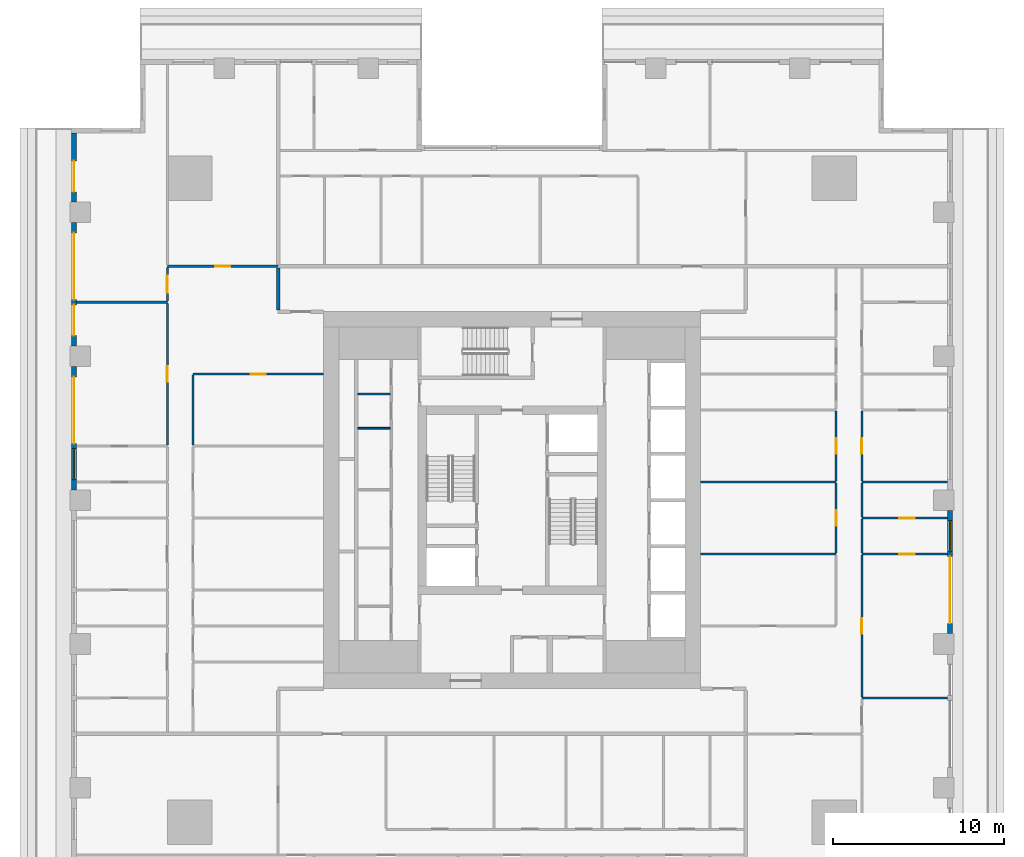
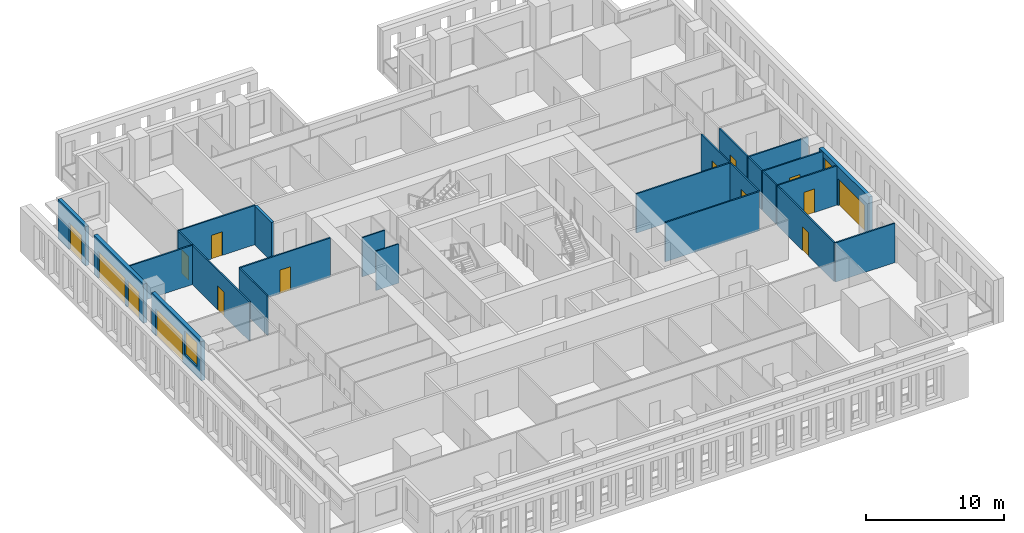
# One storey, part 6 of 15: 25 walls, 15 doors, 2 windows, 17 openings.
"""IFC4 building model written with IfcOpenShell, lengths in metres."""

import ifcopenshell
import ifcopenshell.guid

model = None  # the IFC model being written
_history = None  # IfcOwnerHistory: only IFC2X3 demands one
_inside = {}  # id of a spatial element -> (the spatial element, [elements in it])
_under = {}  # id of a project, library or spatial element -> (it, [spatial elements below it])
_declared = {}  # id of a project -> (the project, [libraries it declares])
_typed = {}  # id of a type object -> (the type object, [elements of that type])
_made_of = {}  # id of a material, layer set ... -> (it, [elements and type objects made of it])


def new_model(schema):
    """Start an empty IFC model of exactly this schema.

    Asked for "IFC4X3", IfcOpenShell would pick the latest addendum, in which some entities
    have other attributes; the version numbers below select the first issue.
    IFC2X3 requires an IfcOwnerHistory on every rooted entity: one is made here for all.
    """
    global model, _history
    if schema == "IFC4X3":
        model = ifcopenshell.file(schema_version=(4, 3, 0, 0))
    else:
        model = ifcopenshell.file(schema=schema)
    _inside.clear()
    _under.clear()
    _declared.clear()
    _typed.clear()
    _made_of.clear()
    _history = None
    if model.schema == "IFC2X3":
        org = make("IfcOrganization", Name="unknown")
        user = make(
            "IfcPersonAndOrganization",
            ThePerson=make("IfcPerson", FamilyName="unknown"),
            TheOrganization=org,
        )
        app = make(
            "IfcApplication",
            ApplicationDeveloper=org,
            Version="unknown",
            ApplicationFullName="unknown",
            ApplicationIdentifier="unknown",
        )
        _history = make(
            "IfcOwnerHistory",
            OwningUser=user,
            OwningApplication=app,
            ChangeAction="ADDED",
            CreationDate=0,
        )
    return model


def make(cls, **values):
    """One entity of the class cls with the attributes given. An attribute that is None is left unset."""
    return model.create_entity(
        cls, **{name: value for name, value in values.items() if value is not None}
    )


def rooted(cls, **values):
    """An entity with a GlobalId (a new one), such as an element, a storey or a relation."""
    return make(cls, GlobalId=ifcopenshell.guid.new(), OwnerHistory=_history, **values)


def si_unit(unit_type, name, prefix=None):
    """IfcSIUnit, for example si_unit("LENGTHUNIT", "METRE", prefix="MILLI")."""
    return make("IfcSIUnit", UnitType=unit_type, Prefix=prefix, Name=name)


def assignment(units):
    """IfcUnitAssignment: the units of a project."""
    return None if units is None else make("IfcUnitAssignment", Units=units)


def point(xyz):
    """IfcCartesianPoint."""
    return None if xyz is None else make("IfcCartesianPoint", Coordinates=xyz)


def direction(xyz):
    """IfcDirection."""
    return None if xyz is None else make("IfcDirection", DirectionRatios=xyz)


def frame(location, z_axis=None, x_axis=None):
    """IfcAxis2Placement3D, a coordinate frame: its origin and axes. An axis left out is left unset."""
    return make(
        "IfcAxis2Placement3D",
        Location=point(location),
        Axis=direction(z_axis),
        RefDirection=direction(x_axis),
    )


def frame_2d(location, x_axis=None):
    """IfcAxis2Placement2D, a coordinate frame in the plane: its origin and x axis."""
    return make(
        "IfcAxis2Placement2D", Location=point(location), RefDirection=direction(x_axis)
    )


def origin():
    """The frame at (0, 0, 0) with its axes left unset."""
    return frame((0.0, 0.0, 0.0))


def place(relative_to, where):
    """IfcLocalPlacement: puts the frame where relative to a parent placement (None: the world)."""
    return make(
        "IfcLocalPlacement", PlacementRelTo=relative_to, RelativePlacement=where
    )


def context(
    kind, dimensions, precision=None, world=None, true_north=None, identifier=None
):
    """IfcGeometricRepresentationContext, for example the 3D "Model" context."""
    return make(
        "IfcGeometricRepresentationContext",
        ContextIdentifier=identifier,
        ContextType=kind,
        CoordinateSpaceDimension=dimensions,
        Precision=precision,
        WorldCoordinateSystem=world,
        TrueNorth=true_north,
    )


def subcontext(parent, identifier, kind, view, scale=None):
    """IfcGeometricRepresentationSubContext, for example "Body" below "Model"."""
    return make(
        "IfcGeometricRepresentationSubContext",
        ContextIdentifier=identifier,
        ContextType=kind,
        ParentContext=parent,
        TargetScale=scale,
        TargetView=view,
    )


def project(units=None, contexts=None):
    """IfcProject with its units and contexts."""
    return rooted(
        "IfcProject",
        Name="project",
        RepresentationContexts=contexts,
        UnitsInContext=assignment(units),
    )


def spatial(cls, under=None, at=None, **own):
    """A site, building, storey or space (cls), placed at a placement, below another one or the project."""
    s = rooted(cls, ObjectPlacement=at, **own)
    if under is not None:
        _under.setdefault(under.id(), (under, []))[1].append(s)
    return s


def profile(cls, at=None, kind="AREA", **sizes):
    """A parametric profile (cls). Its sizes go by their IFC names, for example OverallWidth=200.0."""
    return make(cls, ProfileType=kind, Position=at, **sizes)


def rectangle(**sizes):
    """IfcRectangleProfileDef."""
    return profile("IfcRectangleProfileDef", **sizes)


def extrude(swept, where, along, depth):
    """IfcExtrudedAreaSolid: the profile swept, set in the frame where, extruded along a direction by depth."""
    return make(
        "IfcExtrudedAreaSolid",
        SweptArea=swept,
        Position=where,
        ExtrudedDirection=direction(along),
        Depth=depth,
    )


def shape(context_of_items, identifier, shape_type, items):
    """IfcShapeRepresentation: the items that make up one representation, for example the "Body"."""
    return make(
        "IfcShapeRepresentation",
        ContextOfItems=context_of_items,
        RepresentationIdentifier=identifier,
        RepresentationType=shape_type,
        Items=items,
    )


def material(Name=None, Category=None):
    """IfcMaterial."""
    return make("IfcMaterial", Name=Name, Category=Category)


def layer(
    of_material, thickness, ventilated=None, Name=None, Category=None, Priority=None
):
    """IfcMaterialLayer: one layer of a wall or slab, of a material (None: an air gap)."""
    return make(
        "IfcMaterialLayer",
        Material=of_material,
        LayerThickness=thickness,
        IsVentilated=ventilated,
        Name=Name,
        Category=Category,
        Priority=Priority,
    )


def layer_set(layers, Name=None):
    """IfcMaterialLayerSet."""
    return make("IfcMaterialLayerSet", MaterialLayers=layers, LayerSetName=Name)


def made_of(thing, what):
    """Note that an element or type object is made of a material, layer set ...; save() writes the relation."""
    if what is not None:
        _made_of.setdefault(what.id(), (what, []))[1].append(thing)
    return thing


def type_object(cls, material=None, **own):
    """A type object (cls), such as IfcWallType, which elements share."""
    return made_of(rooted(cls, **own), material)


def element(
    cls,
    number,
    at=None,
    inside=None,
    cuts=None,
    type_object=None,
    material=None,
    context=None,
    identifier="Body",
    shape_type=None,
    held_by="IfcProductDefinitionShape",
    body=None,
    shapes=None,
    **own,
):
    """One element of the class cls, such as IfcWall. Its Tag is "e" and its number.

    at: its placement. inside: the storey or other place that contains it. cuts: it is an
    opening in that element (IfcRelVoidsElement). A single representation is given by context,
    identifier, shape_type and body (its items); several are given by shapes. held_by: the class
    of the entity that holds the representations. save() writes the other relations.
    """
    e = rooted(cls, Tag="e%d" % number, ObjectPlacement=at, **own)
    if body is not None:
        shapes = [shape(context, identifier, shape_type, body)]
    if shapes is not None:
        e.Representation = make(held_by, Representations=shapes)
    if inside is not None:
        _inside.setdefault(inside.id(), (inside, []))[1].append(e)
    if cuts is not None:
        rooted(
            "IfcRelVoidsElement", RelatingBuildingElement=cuts, RelatedOpeningElement=e
        )
    if type_object is not None:
        _typed.setdefault(type_object.id(), (type_object, []))[1].append(e)
    return made_of(e, material)


def fill(opening, filler):
    """IfcRelFillsElement: the door or window that sits in an opening."""
    return rooted(
        "IfcRelFillsElement",
        RelatingOpeningElement=opening,
        RelatedBuildingElement=filler,
    )


def aggregate(whole, parts):
    """IfcRelAggregates: a whole, such as a stair, and the parts it consists of."""
    return rooted("IfcRelAggregates", RelatingObject=whole, RelatedObjects=parts)


def save(model, path):
    """Write the relations noted so far, then the file.

    IfcRelAggregates (storeys below a building ...), IfcRelContainedInSpatialStructure (elements
    in a storey), IfcRelDefinesByType, IfcRelAssociatesMaterial and IfcRelDeclares: one each for
    every whole, place, type object, material and project.
    """
    for whole, parts in _under.values():
        aggregate(whole, parts)
    for where, things in _inside.values():
        rooted(
            "IfcRelContainedInSpatialStructure",
            RelatedElements=things,
            RelatingStructure=where,
        )
    for kind, things in _typed.values():
        rooted("IfcRelDefinesByType", RelatedObjects=things, RelatingType=kind)
    for what, things in _made_of.values():
        rooted("IfcRelAssociatesMaterial", RelatedObjects=things, RelatingMaterial=what)
    for by, libraries in _declared.values():
        rooted("IfcRelDeclares", RelatingContext=by, RelatedDefinitions=libraries)
    model.write(path)


model = new_model("IFC4")

# Units and contexts
model_context = context("Model", 3, precision=1e-05, world=origin(), true_north=direction((0.0, 1.0)))
body_context = subcontext(model_context, "Body", "Model", "MODEL_VIEW")
ifc_project = project(units=[si_unit("LENGTHUNIT", "METRE"), si_unit("AREAUNIT", "SQUARE_METRE"), si_unit("VOLUMEUNIT", "CUBIC_METRE"), si_unit("PLANEANGLEUNIT", "RADIAN"), si_unit("MASSUNIT", "GRAM", prefix="KILO")], contexts=[model_context])

# Site, building, storey
site_placement = place(None, origin())
site = spatial("IfcSite", under=ifc_project, at=site_placement, CompositionType="ELEMENT")
building_placement = place(site_placement, origin())
building = spatial("IfcBuilding", under=site, at=building_placement, Name="Khepri Terraces", CompositionType="ELEMENT")
storey_placement = place(building_placement, frame((0.0, 0.0, 145.5)))
storey = spatial("IfcBuildingStorey", under=building, at=storey_placement, Name="L34", CompositionType="ELEMENT", Elevation=145.5)

# Walls
ifc_material_1 = material(Name="Fire-rated gypsum board partition")
ifc_layer_1 = layer(ifc_material_1, 0.10009765625, Name="Fire-rated gypsum board partition")
ifc_layer_set_1 = layer_set([ifc_layer_1], Name="Fire-rated gypsum board partition")
wall_type_1 = type_object("IfcWallType", Name="WL-CORE-PART-100", PredefinedType="PARTITIONING", material=ifc_layer_set_1)
for number, where, z_axis, x_axis, name in (
    (1, (-9.0, 4.199951171875, 0.0), (0.0, 0.0, 1.0), (1.0, 0.0, 0.0), "Core partition PT11 L34"),
    (2, (-9.0, 6.199951171875, 0.0), (0.0, 0.0, 1.0), (1.0, 0.0, 0.0), "Core partition PT14 L34"),
):
    element("IfcWall", number, at=place(storey_placement, frame(where, z_axis=z_axis, x_axis=x_axis)), inside=storey, type_object=wall_type_1, Name=name, PredefinedType="PARTITIONING", context=body_context, shape_type="SweptSolid", body=[
        extrude(rectangle(XDim=1.89990234375, YDim=0.10009765625, at=frame_2d((0.949951171875, 0.0))), origin(), (0.0, 0.0, 1.0), 3.47998046875),
    ])
ifc_material_2 = material(Name="Fire-rated gypsum plasterboard partition, mineral wool")
ifc_layer_2 = layer(ifc_material_2, 0.199951171875, Name="Fire-rated gypsum plasterboard partition, mineral wool")
ifc_layer_set_2 = layer_set([ifc_layer_2], Name="Fire-rated gypsum plasterboard partition, mineral wool")
wall_type_2 = type_object("IfcWallType", Name="WL-CORR-200", PredefinedType="PARTITIONING", material=ifc_layer_set_2)
wall_1_placement = place(storey_placement, frame((-13.64990234375, 11.10009765625, 0.0), z_axis=(0.0, 0.0, 1.0), x_axis=(0.0, 1.0, 0.0)))
element("IfcWall", 3, at=wall_1_placement, inside=storey, type_object=wall_type_2, Name="Partition P-076 L34", PredefinedType="PARTITIONING", context=body_context, shape_type="SweptSolid", body=[
    extrude(rectangle(XDim=2.449951171875, YDim=0.199951171875, at=frame_2d((1.22509765625, 0.0))), origin(), (0.0, 0.0, 1.0), 3.47998046875),
])

# Wall, openings, door, window
ifc_material_3 = material(Name="Precast concrete C50/60 warm stone", Category="masonry")
ifc_layer_3 = layer(ifc_material_3, 0.300048828125, Name="Precast concrete C50/60 warm stone", Category="masonry")
ifc_layer_set_3 = layer_set([ifc_layer_3], Name="Precast concrete C50/60 warm stone")
wall_type_3 = type_object("IfcWallType", Name="WL-EXT-PRECAST-300", PredefinedType="STANDARD", material=ifc_layer_set_3)
wall_2_placement = place(storey_placement, frame((25.570068359375, -7.800048828125, 0.0), z_axis=(0.0, 0.0, 1.0), x_axis=(0.0, 1.0, 0.0)))
wall_2 = element("IfcWall", 4, at=wall_2_placement, inside=storey, type_object=wall_type_3, Name="External wall L34 E", PredefinedType="STANDARD", context=body_context, shape_type="SweptSolid", body=[
    extrude(rectangle(XDim=7.199951171875, YDim=0.300048828125, at=frame_2d((3.60009765625, 0.0))), origin(), (0.0, 0.0, 1.0), 3.47998046875),
])
opening_1_placement = place(wall_2_placement, frame((0.60009765625, 0.0, 0.0)))
opening_1 = element("IfcOpeningElement", 5, at=opening_1_placement, cuts=wall_2, Name="Opening ED-L34-04", PredefinedType="OPENING", context=body_context, shape_type="SweptSolid", body=[
    extrude(rectangle(XDim=3.89990234375, YDim=2.39990234375, at=frame_2d((1.949951171875, 1.199951171875))), frame((0.0, 0.16015625, 0.0), z_axis=(0.0, -1.0, 0.0), x_axis=(1.0, 0.0, 0.0)), (0.0, 0.0, 1.0), 0.320068359375),
])
opening_2_placement = place(wall_2_placement, frame((4.800048828125, 0.0, 0.89990234375)))
opening_2 = element("IfcOpeningElement", 6, at=opening_2_placement, cuts=wall_2, Name="Opening W1", PredefinedType="OPENING", context=body_context, shape_type="SweptSolid", body=[
    extrude(rectangle(XDim=1.800048828125, YDim=2.10009765625, at=frame_2d((0.89990234375, 1.050048828125))), frame((0.0, 0.16015625, 0.0), z_axis=(0.0, -1.0, 0.0), x_axis=(1.0, 0.0, 0.0)), (0.0, 0.0, 1.0), 0.320068359375),
])
ifc_material_4 = material(Name="Anodised aluminium bronze glazed door", Category="aluminium")
door_type_1 = type_object("IfcDoorType", Name="DR-BAL-SLIDE-3900x2400", OperationType="NOTDEFINED", PredefinedType="DOOR", material=ifc_material_4)
door_1_placement = place(opening_1_placement, origin())
door_1 = element("IfcDoor", 7, at=door_1_placement, inside=storey, type_object=door_type_1, Name="Balcony door L34 E", OperationType="SLIDING_TO_LEFT", OverallHeight=2.39990234375, OverallWidth=3.89990234375, PredefinedType="DOOR", context=body_context, shape_type="SweptSolid", body=[
    extrude(rectangle(XDim=3.89990234375, YDim=2.39990234375, at=frame_2d((1.949951171875, 1.199951171875))), frame((0.0, 0.02490234375, 0.0), z_axis=(0.0, -1.0, 0.0), x_axis=(1.0, 0.0, 0.0)), (0.0, 0.0, 1.0), 0.050048828125),
])
fill(opening_1, door_1)
ifc_material_5 = material(Name="Clear glass", Category="glass")
window_type = type_object("IfcWindowType", Name="WIN-RES-1800x2100", PartitioningType="SINGLE_PANEL", PredefinedType="WINDOW", material=ifc_material_5)
window_1_placement = place(opening_2_placement, origin())
window_1 = element("IfcWindow", 8, at=window_1_placement, inside=storey, type_object=window_type, Name="Window L34 E", OverallHeight=2.10009765625, OverallWidth=1.800048828125, PartitioningType="SINGLE_PANEL", PredefinedType="WINDOW", context=body_context, shape_type="SweptSolid", body=[
    extrude(rectangle(XDim=1.800048828125, YDim=2.10009765625, at=frame_2d((0.89990234375, 1.050048828125))), frame((0.0, 0.030029296875, 0.0), z_axis=(0.0, -1.0, 0.0), x_axis=(1.0, 0.0, 0.0)), (0.0, 0.0, 1.0), 0.06005859375),
])
fill(opening_2, window_1)

# Wall, opening, door
wall_3_placement = place(storey_placement, frame((-25.570068359375, 21.419921875, 0.0), z_axis=(0.0, 0.0, 1.0), x_axis=(0.0, -1.0, 0.0)))
wall_3 = element("IfcWall", 9, at=wall_3_placement, inside=storey, type_object=wall_type_3, Name="External wall L34 W", PredefinedType="STANDARD", context=body_context, shape_type="SweptSolid", body=[
    extrude(rectangle(XDim=4.02001953125, YDim=0.300048828125, at=frame_2d((2.010009765625, 0.0))), origin(), (0.0, 0.0, 1.0), 3.47998046875),
])
opening_3_placement = place(wall_3_placement, frame((1.6201171875, 0.0, 0.0)))
opening_3 = element("IfcOpeningElement", 10, at=opening_3_placement, cuts=wall_3, Name="Opening ED-L34-10", PredefinedType="OPENING", context=body_context, shape_type="SweptSolid", body=[
    extrude(rectangle(XDim=1.800048828125, YDim=2.39990234375, at=frame_2d((0.89990234375, 1.199951171875))), frame((0.0, 0.16015625, 0.0), z_axis=(0.0, -1.0, 0.0), x_axis=(1.0, 0.0, 0.0)), (0.0, 0.0, 1.0), 0.320068359375),
])
door_type_2 = type_object("IfcDoorType", Name="DR-BAL-SLIDE-1800x2400", OperationType="NOTDEFINED", PredefinedType="DOOR", material=ifc_material_4)
door_2_placement = place(opening_3_placement, origin())
door_2 = element("IfcDoor", 11, at=door_2_placement, inside=storey, type_object=door_type_2, Name="Balcony door L34 W", OperationType="SLIDING_TO_RIGHT", OverallHeight=2.39990234375, OverallWidth=1.800048828125, PredefinedType="DOOR", context=body_context, shape_type="SweptSolid", body=[
    extrude(rectangle(XDim=1.800048828125, YDim=2.39990234375, at=frame_2d((0.89990234375, 1.199951171875))), frame((0.0, 0.02490234375, 0.0), z_axis=(0.0, -1.0, 0.0), x_axis=(1.0, 0.0, 0.0)), (0.0, 0.0, 1.0), 0.050048828125),
])
fill(opening_3, door_2)

# Wall, openings, doors
wall_4_placement = place(storey_placement, frame((-25.570068359375, 16.199951171875, 0.0), z_axis=(0.0, 0.0, 1.0), x_axis=(0.0, -1.0, 0.0)))
wall_4 = element("IfcWall", 12, at=wall_4_placement, inside=storey, type_object=wall_type_3, Name="External wall L34 W", PredefinedType="STANDARD", context=body_context, shape_type="SweptSolid", body=[
    extrude(rectangle(XDim=7.199951171875, YDim=0.300048828125, at=frame_2d((3.60009765625, 0.0))), origin(), (0.0, 0.0, 1.0), 3.47998046875),
])
opening_4_placement = place(wall_4_placement, frame((0.60009765625, 0.0, 0.0)))
opening_4 = element("IfcOpeningElement", 13, at=opening_4_placement, cuts=wall_4, Name="Opening ED-L34-11", PredefinedType="OPENING", context=body_context, shape_type="SweptSolid", body=[
    extrude(rectangle(XDim=3.89990234375, YDim=2.39990234375, at=frame_2d((1.949951171875, 1.199951171875))), frame((0.0, 0.16015625, 0.0), z_axis=(0.0, -1.0, 0.0), x_axis=(1.0, 0.0, 0.0)), (0.0, 0.0, 1.0), 0.320068359375),
])
opening_5_placement = place(wall_4_placement, frame((4.800048828125, 0.0, 0.0)))
opening_5 = element("IfcOpeningElement", 14, at=opening_5_placement, cuts=wall_4, Name="Opening ED-L34-12", PredefinedType="OPENING", context=body_context, shape_type="SweptSolid", body=[
    extrude(rectangle(XDim=1.800048828125, YDim=2.39990234375, at=frame_2d((0.89990234375, 1.199951171875))), frame((0.0, 0.16015625, 0.0), z_axis=(0.0, -1.0, 0.0), x_axis=(1.0, 0.0, 0.0)), (0.0, 0.0, 1.0), 0.320068359375),
])
door_3_placement = place(opening_5_placement, origin())
door_3 = element("IfcDoor", 15, at=door_3_placement, inside=storey, type_object=door_type_2, Name="Balcony door L34 W", OperationType="SLIDING_TO_RIGHT", OverallHeight=2.39990234375, OverallWidth=1.800048828125, PredefinedType="DOOR", context=body_context, shape_type="SweptSolid", body=[
    extrude(rectangle(XDim=1.800048828125, YDim=2.39990234375, at=frame_2d((0.89990234375, 1.199951171875))), frame((0.0, 0.02490234375, 0.0), z_axis=(0.0, -1.0, 0.0), x_axis=(1.0, 0.0, 0.0)), (0.0, 0.0, 1.0), 0.050048828125),
])
fill(opening_5, door_3)
door_4_placement = place(opening_4_placement, origin())
door_4 = element("IfcDoor", 16, at=door_4_placement, inside=storey, type_object=door_type_1, Name="Balcony door L34 W", OperationType="SLIDING_TO_LEFT", OverallHeight=2.39990234375, OverallWidth=3.89990234375, PredefinedType="DOOR", context=body_context, shape_type="SweptSolid", body=[
    extrude(rectangle(XDim=3.89990234375, YDim=2.39990234375, at=frame_2d((1.949951171875, 1.199951171875))), frame((0.0, 0.02490234375, 0.0), z_axis=(0.0, -1.0, 0.0), x_axis=(1.0, 0.0, 0.0)), (0.0, 0.0, 1.0), 0.050048828125),
])
fill(opening_4, door_4)

# Wall, openings, door, window
wall_5_placement = place(storey_placement, frame((-25.570068359375, 7.800048828125, 0.0), z_axis=(0.0, 0.0, 1.0), x_axis=(0.0, -1.0, 0.0)))
wall_5 = element("IfcWall", 17, at=wall_5_placement, inside=storey, type_object=wall_type_3, Name="External wall L34 W", PredefinedType="STANDARD", context=body_context, shape_type="SweptSolid", body=[
    extrude(rectangle(XDim=7.199951171875, YDim=0.300048828125, at=frame_2d((3.60009765625, 0.0))), origin(), (0.0, 0.0, 1.0), 3.47998046875),
])
opening_6_placement = place(wall_5_placement, frame((0.60009765625, 0.0, 0.0)))
opening_6 = element("IfcOpeningElement", 18, at=opening_6_placement, cuts=wall_5, Name="Opening ED-L34-13", PredefinedType="OPENING", context=body_context, shape_type="SweptSolid", body=[
    extrude(rectangle(XDim=3.89990234375, YDim=2.39990234375, at=frame_2d((1.949951171875, 1.199951171875))), frame((0.0, 0.16015625, 0.0), z_axis=(0.0, -1.0, 0.0), x_axis=(1.0, 0.0, 0.0)), (0.0, 0.0, 1.0), 0.320068359375),
])
opening_7_placement = place(wall_5_placement, frame((4.800048828125, 0.0, 0.89990234375)))
opening_7 = element("IfcOpeningElement", 19, at=opening_7_placement, cuts=wall_5, Name="Opening W1", PredefinedType="OPENING", context=body_context, shape_type="SweptSolid", body=[
    extrude(rectangle(XDim=1.800048828125, YDim=2.10009765625, at=frame_2d((0.89990234375, 1.050048828125))), frame((0.0, 0.16015625, 0.0), z_axis=(0.0, -1.0, 0.0), x_axis=(1.0, 0.0, 0.0)), (0.0, 0.0, 1.0), 0.320068359375),
])
door_5_placement = place(opening_6_placement, origin())
door_5 = element("IfcDoor", 20, at=door_5_placement, inside=storey, type_object=door_type_1, Name="Balcony door L34 W", OperationType="SLIDING_TO_LEFT", OverallHeight=2.39990234375, OverallWidth=3.89990234375, PredefinedType="DOOR", context=body_context, shape_type="SweptSolid", body=[
    extrude(rectangle(XDim=3.89990234375, YDim=2.39990234375, at=frame_2d((1.949951171875, 1.199951171875))), frame((0.0, 0.02490234375, 0.0), z_axis=(0.0, -1.0, 0.0), x_axis=(1.0, 0.0, 0.0)), (0.0, 0.0, 1.0), 0.050048828125),
])
fill(opening_6, door_5)
window_2_placement = place(opening_7_placement, origin())
window_2 = element("IfcWindow", 21, at=window_2_placement, inside=storey, type_object=window_type, Name="Window L34 W", OverallHeight=2.10009765625, OverallWidth=1.800048828125, PartitioningType="SINGLE_PANEL", PredefinedType="WINDOW", context=body_context, shape_type="SweptSolid", body=[
    extrude(rectangle(XDim=1.800048828125, YDim=2.10009765625, at=frame_2d((0.89990234375, 1.050048828125))), frame((0.0, 0.030029296875, 0.0), z_axis=(0.0, -1.0, 0.0), x_axis=(1.0, 0.0, 0.0)), (0.0, 0.0, 1.0), 0.06005859375),
])
fill(opening_7, window_2)

# Wall
ifc_material_6 = material(Name="Gypsum plasterboard partition")
ifc_layer_4 = layer(ifc_material_6, 0.1201171875, Name="Gypsum plasterboard partition")
ifc_layer_set_4 = layer_set([ifc_layer_4], Name="Gypsum plasterboard partition")
wall_type_4 = type_object("IfcWallType", Name="WL-PART-120", PredefinedType="PARTITIONING", material=ifc_layer_set_4)
wall_6_placement = place(storey_placement, frame((20.419921875, -11.550048828125, 0.0), z_axis=(0.0, 0.0, 1.0), x_axis=(1.0, 0.0, 0.0)))
element("IfcWall", 22, at=wall_6_placement, inside=storey, type_object=wall_type_4, Name="Partition P-026 L34", PredefinedType="PARTITIONING", context=body_context, shape_type="SweptSolid", body=[
    extrude(rectangle(XDim=5.0, YDim=0.1201171875, at=frame_2d((2.5, 0.0))), origin(), (0.0, 0.0, 1.0), 3.47998046875),
])

# Wall, opening, door
wall_7_placement = place(storey_placement, frame((20.419921875, -11.489990234375, 0.0), z_axis=(0.0, 0.0, 1.0), x_axis=(0.0, 1.0, 0.0)))
wall_7 = element("IfcWall", 23, at=wall_7_placement, inside=storey, type_object=wall_type_4, Name="Partition P-028 L34", PredefinedType="PARTITIONING", context=body_context, shape_type="SweptSolid", body=[
    extrude(rectangle(XDim=8.280029296875, YDim=0.1201171875, at=frame_2d((4.14013671875, 0.0))), origin(), (0.0, 0.0, 1.0), 3.47998046875),
])
opening_8_placement = place(wall_7_placement, frame((3.68994140625, 0.0, 0.0)))
opening_8 = element("IfcOpeningElement", 24, at=opening_8_placement, cuts=wall_7, Name="Opening D3", PredefinedType="OPENING", context=body_context, shape_type="SweptSolid", body=[
    extrude(rectangle(XDim=0.89990234375, YDim=2.10009765625, at=frame_2d((0.449951171875, 1.050048828125))), frame((0.0, 0.070068359375, 0.0), z_axis=(0.0, -1.0, 0.0), x_axis=(1.0, 0.0, 0.0)), (0.0, 0.0, 1.0), 0.14013671875),
])
ifc_material_7 = material(Name="Timber door leaf", Category="wood")
door_type_3 = type_object("IfcDoorType", Name="DR-INT-900", OperationType="NOTDEFINED", PredefinedType="DOOR", material=ifc_material_7)
door_6_placement = place(opening_8_placement, frame((0.89990234375, 0.0, 0.0), z_axis=(0.0, 0.0, 1.0), x_axis=(-1.0, 0.0, 0.0)))
door_6 = element("IfcDoor", 25, at=door_6_placement, inside=storey, type_object=door_type_3, Name="Door Master Bedroom", OperationType="SINGLE_SWING_RIGHT", OverallHeight=2.10009765625, OverallWidth=0.89990234375, PredefinedType="DOOR", context=body_context, shape_type="SweptSolid", body=[
    extrude(rectangle(XDim=0.89990234375, YDim=2.10009765625, at=frame_2d((0.449951171875, 1.050048828125))), frame((0.0, 0.02490234375, 0.0), z_axis=(0.0, -1.0, 0.0), x_axis=(1.0, 0.0, 0.0)), (0.0, 0.0, 1.0), 0.050048828125),
])
fill(opening_8, door_6)

# Wall
wall_8_placement = place(storey_placement, frame((11.0, -3.14990234375, 0.0), z_axis=(0.0, 0.0, 1.0), x_axis=(1.0, 0.0, 0.0)))
element("IfcWall", 26, at=wall_8_placement, inside=storey, type_object=wall_type_4, Name="Partition P-043 L34", PredefinedType="PARTITIONING", context=body_context, shape_type="SweptSolid", body=[
    extrude(rectangle(XDim=7.919921875, YDim=0.1201171875, at=frame_2d((3.9599609375, 0.0))), origin(), (0.0, 0.0, 1.0), 3.47998046875),
])

# Wall, opening, door
wall_9_placement = place(storey_placement, frame((20.419921875, -3.14990234375, 0.0), z_axis=(0.0, 0.0, 1.0), x_axis=(1.0, 0.0, 0.0)))
wall_9 = element("IfcWall", 27, at=wall_9_placement, inside=storey, type_object=wall_type_4, Name="Partition P-044 L34", PredefinedType="PARTITIONING", context=body_context, shape_type="SweptSolid", body=[
    extrude(rectangle(XDim=5.0, YDim=0.1201171875, at=frame_2d((2.5, 0.0))), origin(), (0.0, 0.0, 1.0), 3.47998046875),
])
opening_9_placement = place(wall_9_placement, frame((2.199951171875, 0.0, 0.0)))
opening_9 = element("IfcOpeningElement", 28, at=opening_9_placement, cuts=wall_9, Name="Opening D3", PredefinedType="OPENING", context=body_context, shape_type="SweptSolid", body=[
    extrude(rectangle(XDim=0.89990234375, YDim=2.10009765625, at=frame_2d((0.449951171875, 1.050048828125))), frame((0.0, 0.070068359375, 0.0), z_axis=(0.0, -1.0, 0.0), x_axis=(1.0, 0.0, 0.0)), (0.0, 0.0, 1.0), 0.14013671875),
])
door_7_placement = place(opening_9_placement, origin())
door_7 = element("IfcDoor", 29, at=door_7_placement, inside=storey, type_object=door_type_3, Name="Door Dressing Room", OperationType="SINGLE_SWING_RIGHT", OverallHeight=2.10009765625, OverallWidth=0.89990234375, PredefinedType="DOOR", context=body_context, shape_type="SweptSolid", body=[
    extrude(rectangle(XDim=0.89990234375, YDim=2.10009765625, at=frame_2d((0.449951171875, 1.050048828125))), frame((0.0, 0.02490234375, 0.0), z_axis=(0.0, -1.0, 0.0), x_axis=(1.0, 0.0, 0.0)), (0.0, 0.0, 1.0), 0.050048828125),
])
fill(opening_9, door_7)

wall_10_placement = place(storey_placement, frame((18.919921875, -3.090087890625, 0.0), z_axis=(0.0, 0.0, 1.0), x_axis=(0.0, 1.0, 0.0)))
wall_10 = element("IfcWall", 30, at=wall_10_placement, inside=storey, type_object=wall_type_4, Name="Partition P-045 L34", PredefinedType="PARTITIONING", context=body_context, shape_type="SweptSolid", body=[
    extrude(rectangle(XDim=4.080078125, YDim=0.1201171875, at=frame_2d((2.0400390625, 0.0))), origin(), (0.0, 0.0, 1.0), 3.47998046875),
])
opening_10_placement = place(wall_10_placement, frame((1.590087890625, 0.0, 0.0)))
opening_10 = element("IfcOpeningElement", 31, at=opening_10_placement, cuts=wall_10, Name="Opening D3", PredefinedType="OPENING", context=body_context, shape_type="SweptSolid", body=[
    extrude(rectangle(XDim=0.89990234375, YDim=2.10009765625, at=frame_2d((0.449951171875, 1.050048828125))), frame((0.0, 0.070068359375, 0.0), z_axis=(0.0, -1.0, 0.0), x_axis=(1.0, 0.0, 0.0)), (0.0, 0.0, 1.0), 0.14013671875),
])
door_8_placement = place(opening_10_placement, origin())
door_8 = element("IfcDoor", 32, at=door_8_placement, inside=storey, type_object=door_type_3, Name="Door Service Store", OperationType="SINGLE_SWING_RIGHT", OverallHeight=2.10009765625, OverallWidth=0.89990234375, PredefinedType="DOOR", context=body_context, shape_type="SweptSolid", body=[
    extrude(rectangle(XDim=0.89990234375, YDim=2.10009765625, at=frame_2d((0.449951171875, 1.050048828125))), frame((0.0, 0.02490234375, 0.0), z_axis=(0.0, -1.0, 0.0), x_axis=(1.0, 0.0, 0.0)), (0.0, 0.0, 1.0), 0.050048828125),
])
fill(opening_10, door_8)

# Wall
wall_11_placement = place(storey_placement, frame((20.419921875, -3.090087890625, 0.0), z_axis=(0.0, 0.0, 1.0), x_axis=(0.0, 1.0, 0.0)))
element("IfcWall", 33, at=wall_11_placement, inside=storey, type_object=wall_type_4, Name="Partition P-046 L34", PredefinedType="PARTITIONING", context=body_context, shape_type="SweptSolid", body=[
    extrude(rectangle(XDim=1.97998046875, YDim=0.1201171875, at=frame_2d((0.989990234375, 0.0))), origin(), (0.0, 0.0, 1.0), 3.47998046875),
])

# Wall, opening, door
wall_12_placement = place(storey_placement, frame((20.419921875, -1.050048828125, 0.0), z_axis=(0.0, 0.0, 1.0), x_axis=(1.0, 0.0, 0.0)))
wall_12 = element("IfcWall", 34, at=wall_12_placement, inside=storey, type_object=wall_type_4, Name="Partition P-049 L34", PredefinedType="PARTITIONING", context=body_context, shape_type="SweptSolid", body=[
    extrude(rectangle(XDim=5.0, YDim=0.1201171875, at=frame_2d((2.5, 0.0))), origin(), (0.0, 0.0, 1.0), 3.47998046875),
])
opening_11_placement = place(wall_12_placement, frame((2.199951171875, 0.0, 0.0)))
opening_11 = element("IfcOpeningElement", 35, at=opening_11_placement, cuts=wall_12, Name="Opening D4", PredefinedType="OPENING", context=body_context, shape_type="SweptSolid", body=[
    extrude(rectangle(XDim=0.89990234375, YDim=2.10009765625, at=frame_2d((0.449951171875, 1.050048828125))), frame((0.0, 0.070068359375, 0.0), z_axis=(0.0, -1.0, 0.0), x_axis=(1.0, 0.0, 0.0)), (0.0, 0.0, 1.0), 0.14013671875),
])
ifc_material_8 = material(Name="Timber door leaf, moisture resistant", Category="wood")
door_type_4 = type_object("IfcDoorType", Name="DR-WET-900", OperationType="NOTDEFINED", PredefinedType="DOOR", material=ifc_material_8)
door_9_placement = place(opening_11_placement, origin())
door_9 = element("IfcDoor", 36, at=door_9_placement, inside=storey, type_object=door_type_4, Name="Door Bathroom", OperationType="SINGLE_SWING_RIGHT", OverallHeight=2.10009765625, OverallWidth=0.89990234375, PredefinedType="DOOR", context=body_context, shape_type="SweptSolid", body=[
    extrude(rectangle(XDim=0.89990234375, YDim=2.10009765625, at=frame_2d((0.449951171875, 1.050048828125))), frame((0.0, 0.02490234375, 0.0), z_axis=(0.0, -1.0, 0.0), x_axis=(1.0, 0.0, 0.0)), (0.0, 0.0, 1.0), 0.050048828125),
])
fill(opening_11, door_9)

# Walls
wall_13_placement = place(storey_placement, frame((20.419921875, -0.989990234375, 0.0), z_axis=(0.0, 0.0, 1.0), x_axis=(0.0, 1.0, 0.0)))
element("IfcWall", 37, at=wall_13_placement, inside=storey, type_object=wall_type_4, Name="Partition P-052 L34", PredefinedType="PARTITIONING", context=body_context, shape_type="SweptSolid", body=[
    extrude(rectangle(XDim=1.97998046875, YDim=0.1201171875, at=frame_2d((0.989990234375, 0.0))), origin(), (0.0, 0.0, 1.0), 3.47998046875),
])
wall_14_placement = place(storey_placement, frame((11.0, 1.050048828125, 0.0), z_axis=(0.0, 0.0, 1.0), x_axis=(1.0, 0.0, 0.0)))
element("IfcWall", 38, at=wall_14_placement, inside=storey, type_object=wall_type_4, Name="Partition P-054 L34", PredefinedType="PARTITIONING", context=body_context, shape_type="SweptSolid", body=[
    extrude(rectangle(XDim=7.919921875, YDim=0.1201171875, at=frame_2d((3.9599609375, 0.0))), origin(), (0.0, 0.0, 1.0), 3.47998046875),
])
wall_15_placement = place(storey_placement, frame((20.419921875, 1.050048828125, 0.0), z_axis=(0.0, 0.0, 1.0), x_axis=(1.0, 0.0, 0.0)))
element("IfcWall", 39, at=wall_15_placement, inside=storey, type_object=wall_type_4, Name="Partition P-055 L34", PredefinedType="PARTITIONING", context=body_context, shape_type="SweptSolid", body=[
    extrude(rectangle(XDim=5.0, YDim=0.1201171875, at=frame_2d((2.5, 0.0))), origin(), (0.0, 0.0, 1.0), 3.47998046875),
])

# Wall, opening, door
wall_16_placement = place(storey_placement, frame((18.919921875, 1.110107421875, 0.0), z_axis=(0.0, 0.0, 1.0), x_axis=(0.0, 1.0, 0.0)))
wall_16 = element("IfcWall", 40, at=wall_16_placement, inside=storey, type_object=wall_type_4, Name="Partition P-057 L34", PredefinedType="PARTITIONING", context=body_context, shape_type="SweptSolid", body=[
    extrude(rectangle(XDim=4.079833984375, YDim=0.1201171875, at=frame_2d((2.0400390625, 0.0))), origin(), (0.0, 0.0, 1.0), 3.47998046875),
])
opening_12_placement = place(wall_16_placement, frame((1.590087890625, 0.0, 0.0)))
opening_12 = element("IfcOpeningElement", 41, at=opening_12_placement, cuts=wall_16, Name="Opening D3", PredefinedType="OPENING", context=body_context, shape_type="SweptSolid", body=[
    extrude(rectangle(XDim=0.89990234375, YDim=2.10009765625, at=frame_2d((0.449951171875, 1.050048828125))), frame((0.0, 0.070068359375, 0.0), z_axis=(0.0, -1.0, 0.0), x_axis=(1.0, 0.0, 0.0)), (0.0, 0.0, 1.0), 0.14013671875),
])
door_10_placement = place(opening_12_placement, origin())
door_10 = element("IfcDoor", 42, at=door_10_placement, inside=storey, type_object=door_type_3, Name="Door Staff Bedroom", OperationType="SINGLE_SWING_RIGHT", OverallHeight=2.10009765625, OverallWidth=0.89990234375, PredefinedType="DOOR", context=body_context, shape_type="SweptSolid", body=[
    extrude(rectangle(XDim=0.89990234375, YDim=2.10009765625, at=frame_2d((0.449951171875, 1.050048828125))), frame((0.0, 0.02490234375, 0.0), z_axis=(0.0, -1.0, 0.0), x_axis=(1.0, 0.0, 0.0)), (0.0, 0.0, 1.0), 0.050048828125),
])
fill(opening_12, door_10)

wall_17_placement = place(storey_placement, frame((20.419921875, 1.110107421875, 0.0), z_axis=(0.0, 0.0, 1.0), x_axis=(0.0, 1.0, 0.0)))
wall_17 = element("IfcWall", 43, at=wall_17_placement, inside=storey, type_object=wall_type_4, Name="Partition P-058 L34", PredefinedType="PARTITIONING", context=body_context, shape_type="SweptSolid", body=[
    extrude(rectangle(XDim=4.079833984375, YDim=0.1201171875, at=frame_2d((2.0400390625, 0.0))), origin(), (0.0, 0.0, 1.0), 3.47998046875),
])
opening_13_placement = place(wall_17_placement, frame((1.590087890625, 0.0, 0.0)))
opening_13 = element("IfcOpeningElement", 44, at=opening_13_placement, cuts=wall_17, Name="Opening D3", PredefinedType="OPENING", context=body_context, shape_type="SweptSolid", body=[
    extrude(rectangle(XDim=0.89990234375, YDim=2.10009765625, at=frame_2d((0.449951171875, 1.050048828125))), frame((0.0, 0.070068359375, 0.0), z_axis=(0.0, -1.0, 0.0), x_axis=(1.0, 0.0, 0.0)), (0.0, 0.0, 1.0), 0.14013671875),
])
door_11_placement = place(opening_13_placement, frame((0.89990234375, 0.0, 0.0), z_axis=(0.0, 0.0, 1.0), x_axis=(-1.0, 0.0, 0.0)))
door_11 = element("IfcDoor", 45, at=door_11_placement, inside=storey, type_object=door_type_3, Name="Door Bedroom", OperationType="SINGLE_SWING_LEFT", OverallHeight=2.10009765625, OverallWidth=0.89990234375, PredefinedType="DOOR", context=body_context, shape_type="SweptSolid", body=[
    extrude(rectangle(XDim=0.89990234375, YDim=2.10009765625, at=frame_2d((0.449951171875, 1.050048828125))), frame((0.0, 0.02490234375, 0.0), z_axis=(0.0, -1.0, 0.0), x_axis=(1.0, 0.0, 0.0)), (0.0, 0.0, 1.0), 0.050048828125),
])
fill(opening_13, door_11)

wall_18_placement = place(storey_placement, frame((-20.1201171875, 3.2099609375, 0.0), z_axis=(0.0, 0.0, 1.0), x_axis=(0.0, 1.0, 0.0)))
wall_18 = element("IfcWall", 46, at=wall_18_placement, inside=storey, type_object=wall_type_4, Name="Partition P-061 L34", PredefinedType="PARTITIONING", context=body_context, shape_type="SweptSolid", body=[
    extrude(rectangle(XDim=8.280029296875, YDim=0.1201171875, at=frame_2d((4.14013671875, 0.0))), origin(), (0.0, 0.0, 1.0), 3.47998046875),
])
opening_14_placement = place(wall_18_placement, frame((3.68994140625, 0.0, 0.0)))
opening_14 = element("IfcOpeningElement", 47, at=opening_14_placement, cuts=wall_18, Name="Opening D3", PredefinedType="OPENING", context=body_context, shape_type="SweptSolid", body=[
    extrude(rectangle(XDim=0.89990234375, YDim=2.10009765625, at=frame_2d((0.449951171875, 1.050048828125))), frame((0.0, 0.070068359375, 0.0), z_axis=(0.0, -1.0, 0.0), x_axis=(1.0, 0.0, 0.0)), (0.0, 0.0, 1.0), 0.14013671875),
])
door_12_placement = place(opening_14_placement, origin())
door_12 = element("IfcDoor", 48, at=door_12_placement, inside=storey, type_object=door_type_3, Name="Door Master Bedroom", OperationType="SINGLE_SWING_RIGHT", OverallHeight=2.10009765625, OverallWidth=0.89990234375, PredefinedType="DOOR", context=body_context, shape_type="SweptSolid", body=[
    extrude(rectangle(XDim=0.89990234375, YDim=2.10009765625, at=frame_2d((0.449951171875, 1.050048828125))), frame((0.0, 0.02490234375, 0.0), z_axis=(0.0, -1.0, 0.0), x_axis=(1.0, 0.0, 0.0)), (0.0, 0.0, 1.0), 0.050048828125),
])
fill(opening_14, door_12)

# Wall
wall_19_placement = place(storey_placement, frame((-18.6201171875, 3.2099609375, 0.0), z_axis=(0.0, 0.0, 1.0), x_axis=(0.0, 1.0, 0.0)))
element("IfcWall", 49, at=wall_19_placement, inside=storey, type_object=wall_type_4, Name="Partition P-062 L34", PredefinedType="PARTITIONING", context=body_context, shape_type="SweptSolid", body=[
    extrude(rectangle(XDim=4.080078125, YDim=0.1201171875, at=frame_2d((2.0400390625, 0.0))), origin(), (0.0, 0.0, 1.0), 3.47998046875),
])

# Wall, opening, door
wall_20_placement = place(storey_placement, frame((-18.6201171875, 7.35009765625, 0.0), z_axis=(0.0, 0.0, 1.0), x_axis=(1.0, 0.0, 0.0)))
wall_20 = element("IfcWall", 50, at=wall_20_placement, inside=storey, type_object=wall_type_4, Name="Partition P-067 L34", PredefinedType="PARTITIONING", context=body_context, shape_type="SweptSolid", body=[
    extrude(rectangle(XDim=7.6201171875, YDim=0.1201171875, at=frame_2d((3.81005859375, 0.0))), origin(), (0.0, 0.0, 1.0), 3.47998046875),
])
opening_15_placement = place(wall_20_placement, frame((3.360107421875, 0.0, 0.0)))
opening_15 = element("IfcOpeningElement", 51, at=opening_15_placement, cuts=wall_20, Name="Opening D3", PredefinedType="OPENING", context=body_context, shape_type="SweptSolid", body=[
    extrude(rectangle(XDim=0.89990234375, YDim=2.10009765625, at=frame_2d((0.449951171875, 1.050048828125))), frame((0.0, 0.070068359375, 0.0), z_axis=(0.0, -1.0, 0.0), x_axis=(1.0, 0.0, 0.0)), (0.0, 0.0, 1.0), 0.14013671875),
])
door_13_placement = place(opening_15_placement, frame((0.89990234375, 0.0, 0.0), z_axis=(0.0, 0.0, 1.0), x_axis=(-1.0, 0.0, 0.0)))
door_13 = element("IfcDoor", 52, at=door_13_placement, inside=storey, type_object=door_type_3, Name="Door Kitchen", OperationType="SINGLE_SWING_LEFT", OverallHeight=2.10009765625, OverallWidth=0.89990234375, PredefinedType="DOOR", context=body_context, shape_type="SweptSolid", body=[
    extrude(rectangle(XDim=0.89990234375, YDim=2.10009765625, at=frame_2d((0.449951171875, 1.050048828125))), frame((0.0, 0.02490234375, 0.0), z_axis=(0.0, -1.0, 0.0), x_axis=(1.0, 0.0, 0.0)), (0.0, 0.0, 1.0), 0.050048828125),
])
fill(opening_15, door_13)

# Wall
wall_21_placement = place(storey_placement, frame((-25.419921875, 11.550048828125, 0.0), z_axis=(0.0, 0.0, 1.0), x_axis=(1.0, 0.0, 0.0)))
element("IfcWall", 53, at=wall_21_placement, inside=storey, type_object=wall_type_4, Name="Partition P-078 L34", PredefinedType="PARTITIONING", context=body_context, shape_type="SweptSolid", body=[
    extrude(rectangle(XDim=5.2998046875, YDim=0.1201171875, at=frame_2d((2.64990234375, 0.0))), origin(), (0.0, 0.0, 1.0), 3.47998046875),
])

# Wall, opening, door
wall_22_placement = place(storey_placement, frame((-20.1201171875, 11.610107421875, 0.0), z_axis=(0.0, 0.0, 1.0), x_axis=(0.0, 1.0, 0.0)))
wall_22 = element("IfcWall", 54, at=wall_22_placement, inside=storey, type_object=wall_type_4, Name="Partition P-080 L34", PredefinedType="PARTITIONING", context=body_context, shape_type="SweptSolid", body=[
    extrude(rectangle(XDim=1.97998046875, YDim=0.1201171875, at=frame_2d((0.989990234375, 0.0))), origin(), (0.0, 0.0, 1.0), 3.47998046875),
])
opening_16_placement = place(wall_22_placement, frame((0.489990234375, 0.0, 0.0)))
opening_16 = element("IfcOpeningElement", 55, at=opening_16_placement, cuts=wall_22, Name="Opening D2", PredefinedType="OPENING", context=body_context, shape_type="SweptSolid", body=[
    extrude(rectangle(XDim=1.0, YDim=2.10009765625, at=frame_2d((0.5, 1.050048828125))), frame((0.0, 0.070068359375, 0.0), z_axis=(0.0, -1.0, 0.0), x_axis=(1.0, 0.0, 0.0)), (0.0, 0.0, 1.0), 0.14013671875),
])
ifc_material_9 = material(Name="Timber door leaf, living room door", Category="wood")
door_type_5 = type_object("IfcDoorType", Name="DR-INT-1000", OperationType="NOTDEFINED", PredefinedType="DOOR", material=ifc_material_9)
door_14_placement = place(opening_16_placement, origin())
door_14 = element("IfcDoor", 56, at=door_14_placement, inside=storey, type_object=door_type_5, Name="Door Living Room", OperationType="SINGLE_SWING_RIGHT", OverallHeight=2.10009765625, OverallWidth=1.0, PredefinedType="DOOR", context=body_context, shape_type="SweptSolid", body=[
    extrude(rectangle(XDim=1.0, YDim=2.10009765625, at=frame_2d((0.5, 1.050048828125))), frame((0.0, 0.02490234375, 0.0), z_axis=(0.0, -1.0, 0.0), x_axis=(1.0, 0.0, 0.0)), (0.0, 0.0, 1.0), 0.050048828125),
])
fill(opening_16, door_14)

wall_23_placement = place(storey_placement, frame((-20.1201171875, 13.64990234375, 0.0), z_axis=(0.0, 0.0, 1.0), x_axis=(1.0, 0.0, 0.0)))
wall_23 = element("IfcWall", 57, at=wall_23_placement, inside=storey, type_object=wall_type_4, Name="Partition P-082 L34", PredefinedType="PARTITIONING", context=body_context, shape_type="SweptSolid", body=[
    extrude(rectangle(XDim=6.47021484375, YDim=0.1201171875, at=frame_2d((3.235107421875, 0.0))), origin(), (0.0, 0.0, 1.0), 3.47998046875),
])
opening_17_placement = place(wall_23_placement, frame((2.784912109375, 0.0, 0.0)))
opening_17 = element("IfcOpeningElement", 58, at=opening_17_placement, cuts=wall_23, Name="Opening D3", PredefinedType="OPENING", context=body_context, shape_type="SweptSolid", body=[
    extrude(rectangle(XDim=0.89990234375, YDim=2.10009765625, at=frame_2d((0.449951171875, 1.050048828125))), frame((0.0, 0.070068359375, 0.0), z_axis=(0.0, -1.0, 0.0), x_axis=(1.0, 0.0, 0.0)), (0.0, 0.0, 1.0), 0.14013671875),
])
door_15_placement = place(opening_17_placement, origin())
door_15 = element("IfcDoor", 59, at=door_15_placement, inside=storey, type_object=door_type_3, Name="Door Home Cinema", OperationType="SINGLE_SWING_LEFT", OverallHeight=2.10009765625, OverallWidth=0.89990234375, PredefinedType="DOOR", context=body_context, shape_type="SweptSolid", body=[
    extrude(rectangle(XDim=0.89990234375, YDim=2.10009765625, at=frame_2d((0.449951171875, 1.050048828125))), frame((0.0, 0.02490234375, 0.0), z_axis=(0.0, -1.0, 0.0), x_axis=(1.0, 0.0, 0.0)), (0.0, 0.0, 1.0), 0.050048828125),
])
fill(opening_17, door_15)

save(model, "model.ifc")
